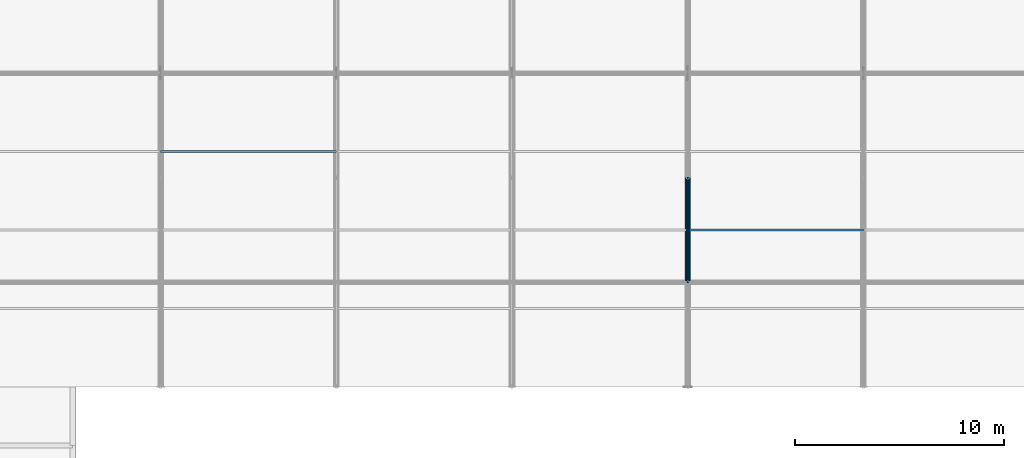
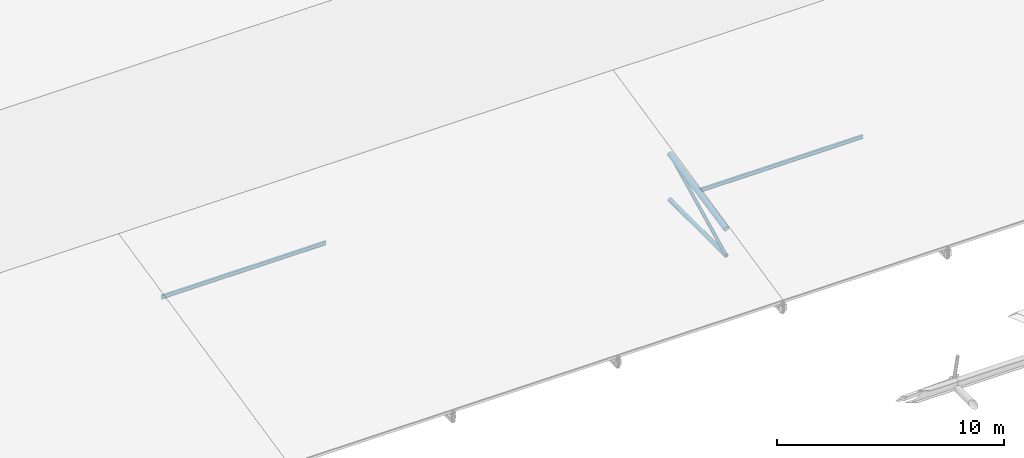
# One storey, part 32 of 194: 3 members, 2 beams.
"""IFC4 building model written with IfcOpenShell, lengths in metres."""

from ifc_helpers import new_model, si_unit, direction, frame, origin, origin_2d, place, context, subcontext, project, spatial, hollow_circle, i_section, extrude, material, material_profile, profile_set, type_object, element, save


model = new_model("IFC4")

# Units and contexts
model_context = context("Model", 3, precision=1e-05, world=origin(), true_north=direction((0.0, 1.0)))
body_context = subcontext(model_context, "Body", "Model", "MODEL_VIEW")
ifc_project = project(units=[si_unit("LENGTHUNIT", "METRE"), si_unit("AREAUNIT", "SQUARE_METRE"), si_unit("VOLUMEUNIT", "CUBIC_METRE"), si_unit("PLANEANGLEUNIT", "RADIAN"), si_unit("MASSUNIT", "GRAM", prefix="KILO")], contexts=[model_context])

# Site, building, storey
site_placement = place(None, origin())
site = spatial("IfcSite", under=ifc_project, at=site_placement, CompositionType="ELEMENT")
building_placement = place(site_placement, origin())
building = spatial("IfcBuilding", under=site, at=building_placement, Name="Kazenagashi Tramway Depot", CompositionType="ELEMENT")
storey_placement = place(building_placement, frame((0.0, 0.0, 23.7)))
storey = spatial("IfcBuildingStorey", under=building, at=storey_placement, Name="ROOF", CompositionType="ELEMENT", Elevation=23.7)

# Beams
ifc_material_1 = material(Name="Steel SN400B", Category="steel")
ifc_material_profile_1 = material_profile(ifc_material_1, i_section(OverallWidth=0.1, OverallDepth=0.2, WebThickness=0.0055, FlangeThickness=0.008, at=origin_2d()), Name="H-200x100x5.5x8")
ifc_profile_set_1 = profile_set([ifc_material_profile_1], Name="Steel SN400B")
beam_type = type_object("IfcBeamType", Name="PR-01", PredefinedType="USERDEFINED", material=ifc_profile_set_1)
for number, where, z_axis, x_axis, name in (
    (1, (120.4, 77.5, -12.13), (1.0, 0.0, 0.0), (0.0, 1.0, 0.0), "Beam PR-01 BM-2045"),
    (2, (95.2, 81.25, -11.305), (1.0, 0.0, 0.0), (0.0, 1.0, 0.0), "Beam PR-01 BM-2060"),
):
    element("IfcBeam", number, at=place(storey_placement, frame(where, z_axis=z_axis, x_axis=x_axis)), inside=storey, type_object=beam_type, Name=name, ObjectType="PURLIN", PredefinedType="USERDEFINED", context=body_context, shape_type="SweptSolid", body=[
        extrude(i_section(OverallWidth=0.1, OverallDepth=0.2, WebThickness=0.0055, FlangeThickness=0.008, at=origin_2d()), origin(), (0.0, 0.0, 1.0), 8.4),
    ])

# Members
ifc_material_2 = material(Name="Steel STK490", Category="steel")
ifc_material_profile_2 = material_profile(ifc_material_2, hollow_circle(Radius=0.1337, WallThickness=0.0093, at=origin_2d()), Name="CHS-267.4x9.3")
ifc_profile_set_2 = profile_set([ifc_material_profile_2], Name="Steel STK490")
member_type_1 = type_object("IfcMemberType", Name="TC-01", PredefinedType="CHORD", material=ifc_profile_set_2)
member_1_placement = place(storey_placement, frame((120.4, 75.0, -12.667), z_axis=(0.0, 0.979279174591, 0.202514933305), x_axis=(-1.0, 0.0, 0.0)))
element("IfcMember", 3, at=member_1_placement, inside=storey, type_object=member_type_1, Name="Tubular Space Frame TC-01 MEM-0553", PredefinedType="CHORD", context=body_context, shape_type="SweptSolid", body=[
    extrude(hollow_circle(Radius=0.1337, WallThickness=0.0093, at=origin_2d()), origin(), (0.0, 0.0, 1.0), 5.105796),
])
ifc_material_profile_3 = material_profile(ifc_material_2, hollow_circle(Radius=0.10815, WallThickness=0.0082, at=origin_2d()), Name="CHS-216.3x8.2")
ifc_profile_set_3 = profile_set([ifc_material_profile_3], Name="Steel STK490")
member_type_2 = type_object("IfcMemberType", Name="TC-02", PredefinedType="CHORD", material=ifc_profile_set_3)
member_2_placement = place(storey_placement, frame((120.4, 75.0, -14.1), z_axis=(0.0, 1.0, 0.0), x_axis=(-1.0, 0.0, 0.0)))
element("IfcMember", 4, at=member_2_placement, inside=storey, type_object=member_type_2, Name="Tubular Space Frame TC-02 MEM-0554", PredefinedType="CHORD", context=body_context, shape_type="SweptSolid", body=[
    extrude(hollow_circle(Radius=0.10815, WallThickness=0.0082, at=origin_2d()), origin(), (0.0, 0.0, 1.0), 5.0),
])
ifc_material_profile_4 = material_profile(ifc_material_2, hollow_circle(Radius=0.0826, WallThickness=0.0071, at=origin_2d()), Name="CHS-165.2x7.1")
ifc_profile_set_4 = profile_set([ifc_material_profile_4], Name="Steel STK490")
member_type_3 = type_object("IfcMemberType", Name="TS-01", PredefinedType="STRUT", material=ifc_profile_set_4)
member_3_placement = place(storey_placement, frame((120.4, 75.0, -14.1), z_axis=(0.0, 0.896782162482, 0.442472318969), x_axis=(-1.0, 0.0, 0.0)))
element("IfcMember", 5, at=member_3_placement, inside=storey, type_object=member_type_3, Name="Tubular Space Frame TS-01 MEM-0555", PredefinedType="STRUT", context=body_context, shape_type="SweptSolid", body=[
    extrude(hollow_circle(Radius=0.0826, WallThickness=0.0071, at=origin_2d()), origin(), (0.0, 0.0, 1.0), 5.57549),
])

save(model, "model.ifc")
